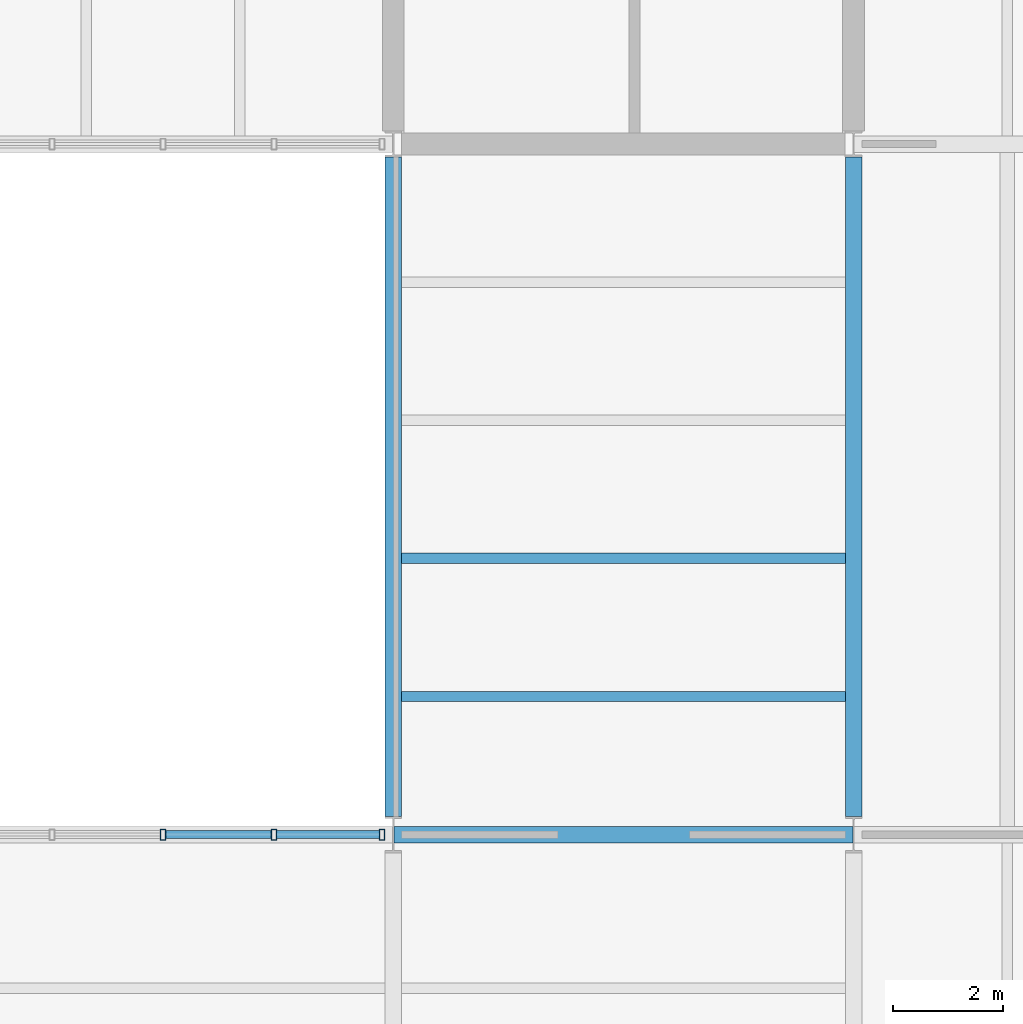
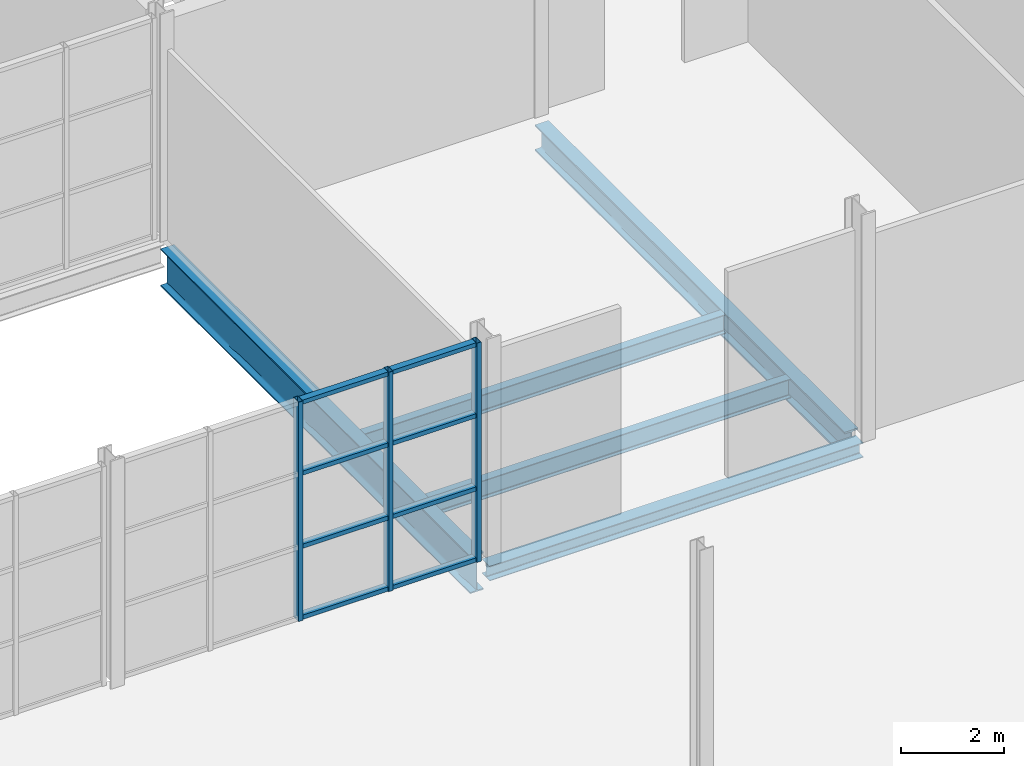
# One storey, part 20 of 57: 11 members, 5 beams, 1 element without a shape of its own.
"""IFC4 building model written with IfcOpenShell, lengths in metres."""

from ifc_helpers import new_model, si_unit, direction, frame, origin, origin_2d, place, context, subcontext, project, spatial, hollow_rectangle, i_section, extrude, material, layer, layer_set, material_profile, profile_set, type_object, element, aggregate, save


model = new_model("IFC4")

# Units and contexts
model_context = context("Model", 3, precision=1e-05, world=origin(), true_north=direction((0.0, 1.0)))
body_context = subcontext(model_context, "Body", "Model", "MODEL_VIEW")
ifc_project = project(units=[si_unit("LENGTHUNIT", "METRE"), si_unit("AREAUNIT", "SQUARE_METRE"), si_unit("VOLUMEUNIT", "CUBIC_METRE"), si_unit("PLANEANGLEUNIT", "RADIAN"), si_unit("MASSUNIT", "GRAM", prefix="KILO")], contexts=[model_context])

# Site, building, storey
site_placement = place(None, origin())
site = spatial("IfcSite", under=ifc_project, at=site_placement, CompositionType="ELEMENT")
building_placement = place(site_placement, origin())
building = spatial("IfcBuilding", under=site, at=building_placement, Name="Galleria Vessillo Department Store", CompositionType="ELEMENT")
storey_placement = place(building_placement, frame((0.0, 0.0, 25.800048828125)))
storey = spatial("IfcBuildingStorey", under=building, at=storey_placement, Name="L05", CompositionType="ELEMENT", Elevation=25.800048828125)

# Beams
ifc_material_1 = material(Name="Steel S355 J2", Category="steel")
ifc_material_profile_1 = material_profile(ifc_material_1, i_section(OverallWidth=0.304931640625, OverallDepth=0.6201171875, WebThickness=0.02099609375, FlangeThickness=0.0400390625, FilletRadius=0.027099609375, at=origin_2d()), Name="HEM 600")
ifc_profile_set_1 = profile_set([ifc_material_profile_1], Name="Steel S355 J2")
beam_type_1 = type_object("IfcBeamType", Name="Floor girder HEM 600", PredefinedType="BEAM", material=ifc_profile_set_1)
beam_1_placement = place(storey_placement, frame((109.199951171875, 25.5341796875, -0.4599609375), z_axis=(0.0, 1.0, 0.0), x_axis=(-1.0, 0.0, 0.0)))
element("IfcBeam", 1, at=beam_1_placement, inside=storey, type_object=beam_type_1, Name="S-BM-L05-GI-y109200-25534", PredefinedType="BEAM", context=body_context, shape_type="SweptSolid", body=[
    extrude(i_section(OverallWidth=0.304931640625, OverallDepth=0.6201171875, WebThickness=0.02099609375, FlangeThickness=0.0400390625, FilletRadius=0.027099609375, at=origin_2d()), origin(), (0.0, 0.0, 1.0), 12.026611328125),
])
ifc_material_2 = material(Name="Steel S355 J2", Category="steel")
ifc_material_profile_2 = material_profile(ifc_material_2, i_section(OverallWidth=0.18994140625, OverallDepth=0.449951171875, WebThickness=0.009521484375, FlangeThickness=0.0146484375, FilletRadius=0.02099609375, at=origin_2d()), Name="IPE 450")
ifc_profile_set_2 = profile_set([ifc_material_profile_2], Name="Steel S355 J2")
beam_type_2 = type_object("IfcBeamType", Name="Floor joist IPE 450", PredefinedType="JOIST", material=ifc_profile_set_2)
for number, where, z_axis, x_axis, name in (
    (2, (100.9501953125, 27.719970703125, -0.375), (1.0, 0.0, 0.0), (0.0, 1.0, 0.0), "S-BM-L05-JO-x27720-100950"),
    (3, (100.9501953125, 30.239990234375, -0.375), (1.0, 0.0, 0.0), (0.0, 1.0, 0.0), "S-BM-L05-JO-x30240-100950"),
):
    element("IfcBeam", number, at=place(storey_placement, frame(where, z_axis=z_axis, x_axis=x_axis)), inside=storey, type_object=beam_type_2, Name=name, PredefinedType="JOIST", context=body_context, shape_type="SweptSolid", body=[
        extrude(i_section(OverallWidth=0.18994140625, OverallDepth=0.449951171875, WebThickness=0.009521484375, FlangeThickness=0.0146484375, FilletRadius=0.02099609375, at=origin_2d()), origin(), (0.0, 0.0, 1.0), 8.09716796875),
    ])
ifc_material_3 = material(Name="Steel S355 J2", Category="steel")
ifc_material_profile_3 = material_profile(ifc_material_3, i_section(OverallWidth=0.300048828125, OverallDepth=0.35009765625, WebThickness=0.010009765625, FlangeThickness=0.017578125, FilletRadius=0.027099609375, at=origin_2d()), Name="HEA 360")
ifc_profile_set_3 = profile_set([ifc_material_profile_3], Name="Steel S355 J2")
beam_type_3 = type_object("IfcBeamType", Name="Floor tie girder HEA 360", PredefinedType="BEAM", material=ifc_profile_set_3)
beam_2_placement = place(storey_placement, frame((100.810546875, 25.199951171875, -0.324951171875), z_axis=(1.0, 0.0, 0.0), x_axis=(0.0, 1.0, 0.0)))
element("IfcBeam", 4, at=beam_2_placement, inside=storey, type_object=beam_type_3, Name="S-BM-L05-TI-x25200-100811", PredefinedType="BEAM", context=body_context, shape_type="SweptSolid", body=[
    extrude(i_section(OverallWidth=0.300048828125, OverallDepth=0.35009765625, WebThickness=0.010009765625, FlangeThickness=0.017578125, FilletRadius=0.027099609375, at=origin_2d()), origin(), (0.0, 0.0, 1.0), 8.37890625),
])

# Curtain wall, members
ifc_material_4 = material(Name="Steel and fire-resisting glass curtain wall", Category="steel")
ifc_layer = layer(ifc_material_4, 0.199951171875)
ifc_layer_set = layer_set([ifc_layer], Name="Steel and fire-resisting glass curtain wall")
curtain_wall_type = type_object("IfcCurtainWallType", Name="Arcade fire-resisting glazed shopfront EI 120-Sa", PredefinedType="NOTDEFINED", material=ifc_layer_set)
curtain_wall_placement = place(storey_placement, origin())
curtain_wall = element("IfcCurtainWall", 5, at=curtain_wall_placement, inside=storey, type_object=curtain_wall_type, Name="Arcade fire-resisting glazed shopfront EI 120-Sa AI-AE-S-L05-02", PredefinedType="NOTDEFINED")
ifc_material_5 = material(Name="Steel S355 J2", Category="steel")
ifc_material_profile_4 = material_profile(ifc_material_5, hollow_rectangle(XDim=0.199951171875, YDim=0.10009765625, WallThickness=0.008056640625, at=origin_2d()), Name="RHS 200x100x8")
ifc_profile_set_4 = profile_set([ifc_material_profile_4], Name="Steel S355 J2")
member_type_1 = type_object("IfcMemberType", Name="Steel mullion RHS 200x100x8", PredefinedType="MULLION", material=ifc_profile_set_4)
member_1_placement = place(storey_placement, frame((96.600341796875, 25.199951171875, 0.0), z_axis=(0.0, 0.0, 1.0), x_axis=(0.0, 1.0, 0.0)))
member_1 = element("IfcMember", 6, at=member_1_placement, type_object=member_type_1, Name="CW7 mullion 3", PredefinedType="MULLION", context=body_context, shape_type="SweptSolid", body=[
    extrude(hollow_rectangle(XDim=0.199951171875, YDim=0.10009765625, WallThickness=0.008056640625, at=origin_2d()), origin(), (0.0, 0.0, 1.0), 5.199951171875),
])
member_2_placement = place(storey_placement, frame((98.623779296875, 25.199951171875, 0.0), z_axis=(0.0, 0.0, 1.0), x_axis=(0.0, 1.0, 0.0)))
member_2 = element("IfcMember", 7, at=member_2_placement, type_object=member_type_1, Name="CW7 mullion 4", PredefinedType="MULLION", context=body_context, shape_type="SweptSolid", body=[
    extrude(hollow_rectangle(XDim=0.199951171875, YDim=0.10009765625, WallThickness=0.008056640625, at=origin_2d()), origin(), (0.0, 0.0, 1.0), 5.199951171875),
])
member_3_placement = place(storey_placement, frame((100.597412109375, 25.199951171875, 0.0), z_axis=(0.0, 0.0, 1.0), x_axis=(0.0, 1.0, 0.0)))
member_3 = element("IfcMember", 8, at=member_3_placement, type_object=member_type_1, Name="CW7 mullion 5", PredefinedType="MULLION", context=body_context, shape_type="SweptSolid", body=[
    extrude(hollow_rectangle(XDim=0.199951171875, YDim=0.10009765625, WallThickness=0.008056640625, at=origin_2d()), origin(), (0.0, 0.0, 1.0), 5.199951171875),
])
ifc_material_6 = material(Name="Steel S355 J2", Category="steel")
ifc_material_profile_5 = material_profile(ifc_material_6, hollow_rectangle(XDim=0.14990234375, YDim=0.10009765625, WallThickness=0.008056640625, at=origin_2d()), Name="RHS 150x100x8")
ifc_profile_set_5 = profile_set([ifc_material_profile_5], Name="Steel S355 J2")
member_type_2 = type_object("IfcMemberType", Name="Steel transom RHS 150x100x8", PredefinedType="USERDEFINED", material=ifc_profile_set_5)
member_4_placement = place(storey_placement, frame((96.650146484375, 25.199951171875, 0.050048828125), z_axis=(1.0, 0.0, 0.0), x_axis=(0.0, 1.0, 0.0)))
member_4 = element("IfcMember", 9, at=member_4_placement, type_object=member_type_2, Name="CW7 transom 3.1", ObjectType="TRANSOM", PredefinedType="USERDEFINED", context=body_context, shape_type="SweptSolid", body=[
    extrude(hollow_rectangle(XDim=0.14990234375, YDim=0.10009765625, WallThickness=0.008056640625, at=origin_2d()), origin(), (0.0, 0.0, 1.0), 1.923583984375),
])
member_5_placement = place(storey_placement, frame((96.650146484375, 25.199951171875, 1.7333984375), z_axis=(1.0, 0.0, 0.0), x_axis=(0.0, 1.0, 0.0)))
member_5 = element("IfcMember", 10, at=member_5_placement, type_object=member_type_2, Name="CW7 transom 3.2", ObjectType="TRANSOM", PredefinedType="USERDEFINED", context=body_context, shape_type="SweptSolid", body=[
    extrude(hollow_rectangle(XDim=0.14990234375, YDim=0.10009765625, WallThickness=0.008056640625, at=origin_2d()), origin(), (0.0, 0.0, 1.0), 1.923583984375),
])
member_6_placement = place(storey_placement, frame((96.650146484375, 25.199951171875, 3.466552734375), z_axis=(1.0, 0.0, 0.0), x_axis=(0.0, 1.0, 0.0)))
member_6 = element("IfcMember", 11, at=member_6_placement, type_object=member_type_2, Name="CW7 transom 3.3", ObjectType="TRANSOM", PredefinedType="USERDEFINED", context=body_context, shape_type="SweptSolid", body=[
    extrude(hollow_rectangle(XDim=0.14990234375, YDim=0.10009765625, WallThickness=0.008056640625, at=origin_2d()), origin(), (0.0, 0.0, 1.0), 1.923583984375),
])
member_7_placement = place(storey_placement, frame((96.650146484375, 25.199951171875, 5.14990234375), z_axis=(1.0, 0.0, 0.0), x_axis=(0.0, 1.0, 0.0)))
member_7 = element("IfcMember", 12, at=member_7_placement, type_object=member_type_2, Name="CW7 transom 3.4", ObjectType="TRANSOM", PredefinedType="USERDEFINED", context=body_context, shape_type="SweptSolid", body=[
    extrude(hollow_rectangle(XDim=0.14990234375, YDim=0.10009765625, WallThickness=0.008056640625, at=origin_2d()), origin(), (0.0, 0.0, 1.0), 1.923583984375),
])
member_8_placement = place(storey_placement, frame((98.673828125, 25.199951171875, 0.050048828125), z_axis=(1.0, 0.0, 0.0), x_axis=(0.0, 1.0, 0.0)))
member_8 = element("IfcMember", 13, at=member_8_placement, type_object=member_type_2, Name="CW7 transom 4.1", ObjectType="TRANSOM", PredefinedType="USERDEFINED", context=body_context, shape_type="SweptSolid", body=[
    extrude(hollow_rectangle(XDim=0.14990234375, YDim=0.10009765625, WallThickness=0.008056640625, at=origin_2d()), origin(), (0.0, 0.0, 1.0), 1.87353515625),
])
member_9_placement = place(storey_placement, frame((98.673828125, 25.199951171875, 1.7333984375), z_axis=(1.0, 0.0, 0.0), x_axis=(0.0, 1.0, 0.0)))
member_9 = element("IfcMember", 14, at=member_9_placement, type_object=member_type_2, Name="CW7 transom 4.2", ObjectType="TRANSOM", PredefinedType="USERDEFINED", context=body_context, shape_type="SweptSolid", body=[
    extrude(hollow_rectangle(XDim=0.14990234375, YDim=0.10009765625, WallThickness=0.008056640625, at=origin_2d()), origin(), (0.0, 0.0, 1.0), 1.87353515625),
])
member_10_placement = place(storey_placement, frame((98.673828125, 25.199951171875, 3.466552734375), z_axis=(1.0, 0.0, 0.0), x_axis=(0.0, 1.0, 0.0)))
member_10 = element("IfcMember", 15, at=member_10_placement, type_object=member_type_2, Name="CW7 transom 4.3", ObjectType="TRANSOM", PredefinedType="USERDEFINED", context=body_context, shape_type="SweptSolid", body=[
    extrude(hollow_rectangle(XDim=0.14990234375, YDim=0.10009765625, WallThickness=0.008056640625, at=origin_2d()), origin(), (0.0, 0.0, 1.0), 1.87353515625),
])
member_11_placement = place(storey_placement, frame((98.673828125, 25.199951171875, 5.14990234375), z_axis=(1.0, 0.0, 0.0), x_axis=(0.0, 1.0, 0.0)))
member_11 = element("IfcMember", 16, at=member_11_placement, type_object=member_type_2, Name="CW7 transom 4.4", ObjectType="TRANSOM", PredefinedType="USERDEFINED", context=body_context, shape_type="SweptSolid", body=[
    extrude(hollow_rectangle(XDim=0.14990234375, YDim=0.10009765625, WallThickness=0.008056640625, at=origin_2d()), origin(), (0.0, 0.0, 1.0), 1.87353515625),
])
aggregate(curtain_wall, [member_1, member_2, member_3, member_4, member_5, member_6, member_7, member_8, member_9, member_10, member_11])

# Beam
ifc_material_7 = material(Name="Steel S355 J2", Category="steel")
ifc_material_profile_6 = material_profile(ifc_material_7, i_section(OverallWidth=0.300048828125, OverallDepth=0.889892578125, WebThickness=0.01611328125, FlangeThickness=0.030029296875, FilletRadius=0.030029296875, at=origin_2d()), Name="HEA 900")
ifc_profile_set_6 = profile_set([ifc_material_profile_6], Name="Steel S355 J2")
beam_type_4 = type_object("IfcBeamType", Name="Trimmer beam HEA 900", PredefinedType="BEAM", material=ifc_profile_set_6)
beam_3_placement = place(storey_placement, frame((100.800048828125, 25.5341796875, -0.594970703125), z_axis=(0.0, 1.0, 0.0), x_axis=(-1.0, 0.0, 0.0)))
element("IfcBeam", 17, at=beam_3_placement, inside=storey, type_object=beam_type_4, Name="S-BM-L05-TR-y100800-25534", PredefinedType="BEAM", context=body_context, shape_type="SweptSolid", body=[
    extrude(i_section(OverallWidth=0.300048828125, OverallDepth=0.889892578125, WebThickness=0.01611328125, FlangeThickness=0.030029296875, FilletRadius=0.030029296875, at=origin_2d()), origin(), (0.0, 0.0, 1.0), 12.026611328125),
])

save(model, "model.ifc")
